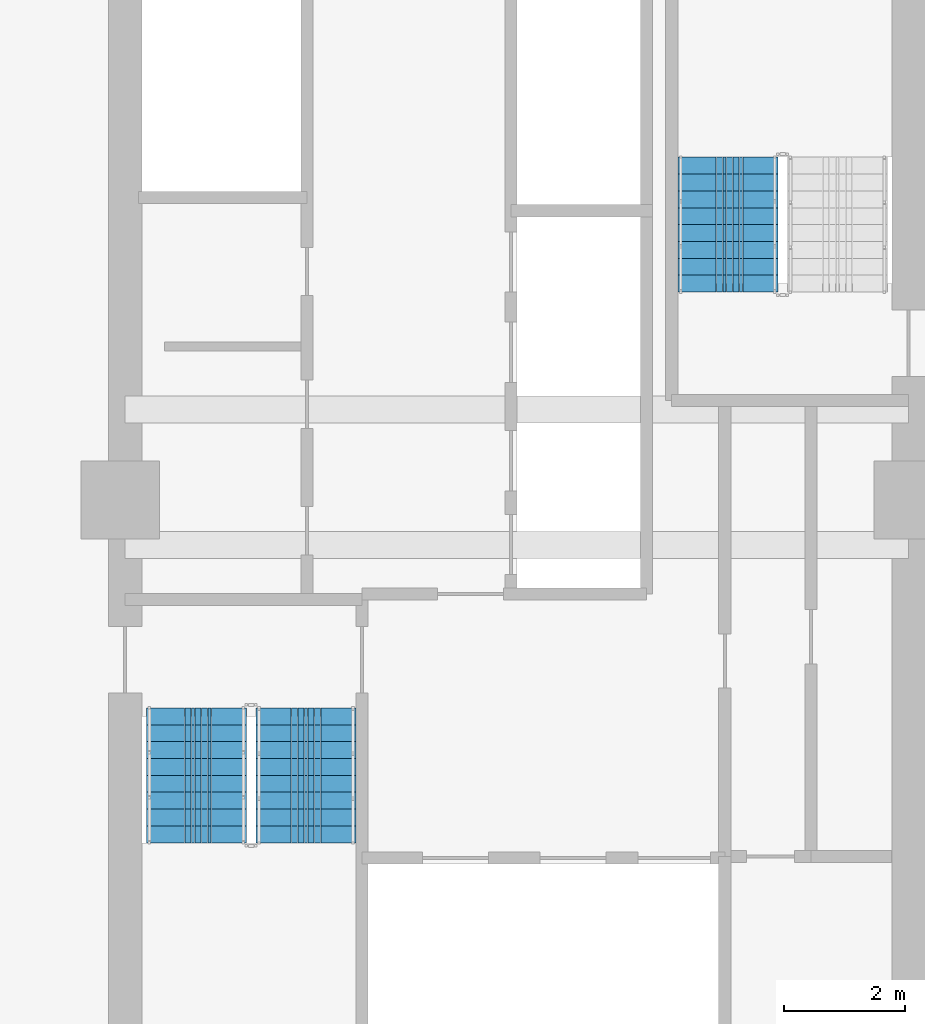
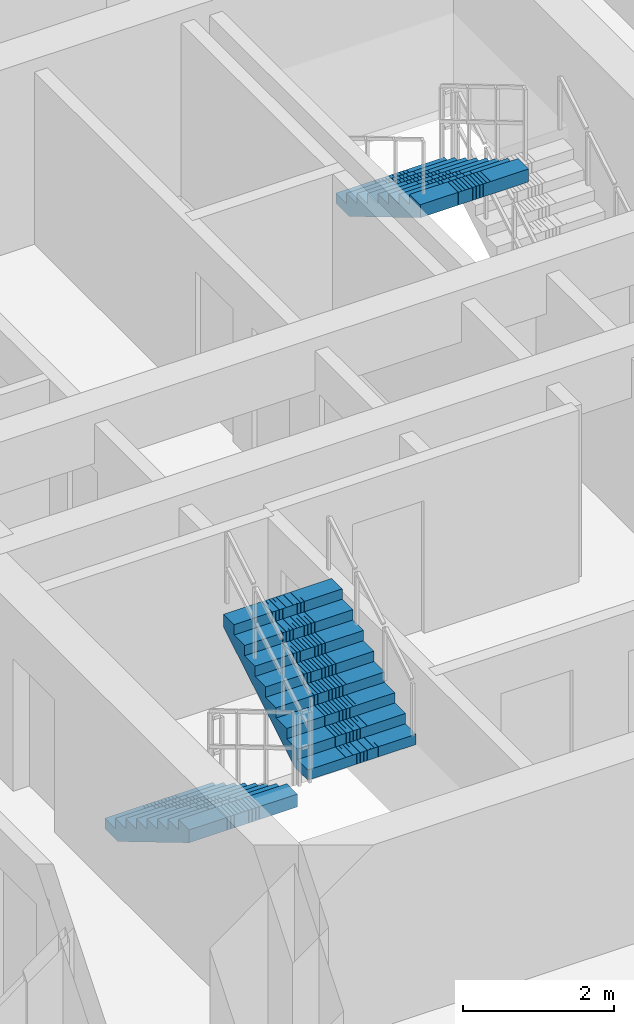
# One storey, part 8 of 13: 3 stair flights, 2 elements without a shape of their own.
"""IFC4 building model written with IfcOpenShell, lengths in metres."""

from ifc_helpers import new_model, si_unit, direction, frame, origin, place, context, subcontext, project, spatial, polyline, outline, extrude, material, type_object, element, aggregate, save


model = new_model("IFC4")

# Units and contexts
model_context = context("Model", 3, precision=1e-05, world=origin(), true_north=direction((0.0, 1.0)))
body_context = subcontext(model_context, "Body", "Model", "MODEL_VIEW")
ifc_project = project(units=[si_unit("LENGTHUNIT", "METRE"), si_unit("AREAUNIT", "SQUARE_METRE"), si_unit("VOLUMEUNIT", "CUBIC_METRE"), si_unit("PLANEANGLEUNIT", "RADIAN"), si_unit("MASSUNIT", "GRAM", prefix="KILO")], contexts=[model_context])

# Site, building, storey
site_placement = place(None, origin())
site = spatial("IfcSite", under=ifc_project, at=site_placement, CompositionType="ELEMENT")
building_placement = place(site_placement, origin())
building = spatial("IfcBuilding", under=site, at=building_placement, Name="Saelheon Loggia Tower", CompositionType="ELEMENT")
storey_placement = place(building_placement, frame((0.0, 0.0, 132.75)))
storey = spatial("IfcBuildingStorey", under=building, at=storey_placement, Name="L42", CompositionType="ELEMENT", Elevation=132.75)

# Stair, stair flights
ifc_material = material(Name="Concrete C40/50", Category="concrete")
stair_type = type_object("IfcStairType", Name="Stair_Escape_Core", PredefinedType="HALF_TURN_STAIR", material=ifc_material)
stair_1_placement = place(storey_placement, origin())
stair_1 = element("IfcStair", 1, at=stair_1_placement, inside=storey, type_object=stair_type, Name="L42 Special Escape Stair ST1", PredefinedType="HALF_TURN_STAIR")
stair_flight_type = type_object("IfcStairFlightType", Name="StairFlight_Tower_1660", PredefinedType="STRAIGHT", material=ifc_material)
stair_flight_1_placement = place(storey_placement, frame((32.679931640625, 23.550048828125, 0.0), z_axis=(0.0, 0.0, 1.0), x_axis=(0.0, -1.0, 0.0)))
stair_flight_1 = element("IfcStairFlight", 2, at=stair_flight_1_placement, type_object=stair_flight_type, Name="ST1 flight 1", NumberOfRisers=9, NumberOfTreads=8, PredefinedType="STRAIGHT", RiserHeight=0.166666667, TreadLength=0.28, context=body_context, shape_type="SweptSolid", body=[
    extrude(outline(polyline([(0.0, 0.0), (0.0, 0.166748046875), (0.280029296875, 0.166748046875), (0.280029296875, 0.333251953125), (0.56005859375, 0.333251953125), (0.56005859375, 0.5), (0.840087890625, 0.5), (0.840087890625, 0.666748046875), (1.1201171875, 0.666748046875), (1.1201171875, 0.833251953125), (1.39990234375, 0.833251953125), (1.39990234375, 1.0), (1.679931640625, 1.0), (1.679931640625, 1.166748046875), (1.9599609375, 1.166748046875), (1.9599609375, 1.333251953125), (2.239990234375, 1.333251953125), (2.239990234375, 1.5), (2.239990234375, 1.1240234375), (0.351806640625, 0.0), (0.0, 0.0)])), frame((0.0, -0.2490234375, 0.0), z_axis=(0.0, -1.0, 0.0), x_axis=(1.0, 0.0, 0.0)), (0.0, 0.0, 1.0), 0.5810546875),
    extrude(outline(polyline([(0.0, 0.0), (0.0, 0.166748046875), (0.280029296875, 0.166748046875), (0.280029296875, 0.333251953125), (0.56005859375, 0.333251953125), (0.56005859375, 0.5), (0.840087890625, 0.5), (0.840087890625, 0.666748046875), (1.1201171875, 0.666748046875), (1.1201171875, 0.833251953125), (1.39990234375, 0.833251953125), (1.39990234375, 1.0), (1.679931640625, 1.0), (1.679931640625, 1.166748046875), (1.9599609375, 1.166748046875), (1.9599609375, 1.333251953125), (2.239990234375, 1.333251953125), (2.239990234375, 1.5), (2.239990234375, 1.1240234375), (0.351806640625, 0.0), (0.0, 0.0)])), frame((0.0, -0.194091796875, 0.0), z_axis=(0.0, -1.0, 0.0), x_axis=(1.0, 0.0, 0.0)), (0.0, 0.0, 1.0), 0.0498046875),
    extrude(outline(polyline([(0.0, 0.0), (0.0, 0.166748046875), (0.280029296875, 0.166748046875), (0.280029296875, 0.333251953125), (0.56005859375, 0.333251953125), (0.56005859375, 0.5), (0.840087890625, 0.5), (0.840087890625, 0.666748046875), (1.1201171875, 0.666748046875), (1.1201171875, 0.833251953125), (1.39990234375, 0.833251953125), (1.39990234375, 1.0), (1.679931640625, 1.0), (1.679931640625, 1.166748046875), (1.9599609375, 1.166748046875), (1.9599609375, 1.333251953125), (2.239990234375, 1.333251953125), (2.239990234375, 1.5), (2.239990234375, 1.1240234375), (0.351806640625, 0.0), (0.0, 0.0)])), frame((0.0, -0.139404296875, 0.0), z_axis=(0.0, -1.0, 0.0), x_axis=(1.0, 0.0, 0.0)), (0.0, 0.0, 1.0), 0.0498046875),
    extrude(outline(polyline([(0.0, 0.0), (0.0, 0.166748046875), (0.280029296875, 0.166748046875), (0.280029296875, 0.333251953125), (0.56005859375, 0.333251953125), (0.56005859375, 0.5), (0.840087890625, 0.5), (0.840087890625, 0.666748046875), (1.1201171875, 0.666748046875), (1.1201171875, 0.833251953125), (1.39990234375, 0.833251953125), (1.39990234375, 1.0), (1.679931640625, 1.0), (1.679931640625, 1.166748046875), (1.9599609375, 1.166748046875), (1.9599609375, 1.333251953125), (2.239990234375, 1.333251953125), (2.239990234375, 1.5), (2.239990234375, 1.1240234375), (0.351806640625, 0.0), (0.0, 0.0)])), frame((0.0, -0.084716796875, 0.0), z_axis=(0.0, -1.0, 0.0), x_axis=(1.0, 0.0, 0.0)), (0.0, 0.0, 1.0), 0.0498046875),
    extrude(outline(polyline([(0.0, 0.0), (0.0, 0.166748046875), (0.280029296875, 0.166748046875), (0.280029296875, 0.333251953125), (0.56005859375, 0.333251953125), (0.56005859375, 0.5), (0.840087890625, 0.5), (0.840087890625, 0.666748046875), (1.1201171875, 0.666748046875), (1.1201171875, 0.833251953125), (1.39990234375, 0.833251953125), (1.39990234375, 1.0), (1.679931640625, 1.0), (1.679931640625, 1.166748046875), (1.9599609375, 1.166748046875), (1.9599609375, 1.333251953125), (2.239990234375, 1.333251953125), (2.239990234375, 1.5), (2.239990234375, 1.1240234375), (0.351806640625, 0.0), (0.0, 0.0)])), frame((0.0, -0.02978515625, 0.0), z_axis=(0.0, -1.0, 0.0), x_axis=(1.0, 0.0, 0.0)), (0.0, 0.0, 1.0), 0.0498046875),
    extrude(outline(polyline([(0.0, 0.0), (0.0, 0.166748046875), (0.280029296875, 0.166748046875), (0.280029296875, 0.333251953125), (0.56005859375, 0.333251953125), (0.56005859375, 0.5), (0.840087890625, 0.5), (0.840087890625, 0.666748046875), (1.1201171875, 0.666748046875), (1.1201171875, 0.833251953125), (1.39990234375, 0.833251953125), (1.39990234375, 1.0), (1.679931640625, 1.0), (1.679931640625, 1.166748046875), (1.9599609375, 1.166748046875), (1.9599609375, 1.333251953125), (2.239990234375, 1.333251953125), (2.239990234375, 1.5), (2.239990234375, 1.1240234375), (0.351806640625, 0.0), (0.0, 0.0)])), frame((0.0, 0.02490234375, 0.0), z_axis=(0.0, -1.0, 0.0), x_axis=(1.0, 0.0, 0.0)), (0.0, 0.0, 1.0), 0.0498046875),
    extrude(outline(polyline([(0.0, 0.0), (0.0, 0.166748046875), (0.280029296875, 0.166748046875), (0.280029296875, 0.333251953125), (0.56005859375, 0.333251953125), (0.56005859375, 0.5), (0.840087890625, 0.5), (0.840087890625, 0.666748046875), (1.1201171875, 0.666748046875), (1.1201171875, 0.833251953125), (1.39990234375, 0.833251953125), (1.39990234375, 1.0), (1.679931640625, 1.0), (1.679931640625, 1.166748046875), (1.9599609375, 1.166748046875), (1.9599609375, 1.333251953125), (2.239990234375, 1.333251953125), (2.239990234375, 1.5), (2.239990234375, 1.1240234375), (0.351806640625, 0.0), (0.0, 0.0)])), frame((0.0, 0.07958984375, 0.0), z_axis=(0.0, -1.0, 0.0), x_axis=(1.0, 0.0, 0.0)), (0.0, 0.0, 1.0), 0.0498046875),
    extrude(outline(polyline([(0.0, 0.0), (0.0, 0.166748046875), (0.280029296875, 0.166748046875), (0.280029296875, 0.333251953125), (0.56005859375, 0.333251953125), (0.56005859375, 0.5), (0.840087890625, 0.5), (0.840087890625, 0.666748046875), (1.1201171875, 0.666748046875), (1.1201171875, 0.833251953125), (1.39990234375, 0.833251953125), (1.39990234375, 1.0), (1.679931640625, 1.0), (1.679931640625, 1.166748046875), (1.9599609375, 1.166748046875), (1.9599609375, 1.333251953125), (2.239990234375, 1.333251953125), (2.239990234375, 1.5), (2.239990234375, 1.1240234375), (0.351806640625, 0.0), (0.0, 0.0)])), frame((0.0, 0.134521484375, 0.0), z_axis=(0.0, -1.0, 0.0), x_axis=(1.0, 0.0, 0.0)), (0.0, 0.0, 1.0), 0.0498046875),
    extrude(outline(polyline([(0.0, 0.0), (0.0, 0.166748046875), (0.280029296875, 0.166748046875), (0.280029296875, 0.333251953125), (0.56005859375, 0.333251953125), (0.56005859375, 0.5), (0.840087890625, 0.5), (0.840087890625, 0.666748046875), (1.1201171875, 0.666748046875), (1.1201171875, 0.833251953125), (1.39990234375, 0.833251953125), (1.39990234375, 1.0), (1.679931640625, 1.0), (1.679931640625, 1.166748046875), (1.9599609375, 1.166748046875), (1.9599609375, 1.333251953125), (2.239990234375, 1.333251953125), (2.239990234375, 1.5), (2.239990234375, 1.1240234375), (0.351806640625, 0.0), (0.0, 0.0)])), frame((0.0, 0.189208984375, 0.0), z_axis=(0.0, -1.0, 0.0), x_axis=(1.0, 0.0, 0.0)), (0.0, 0.0, 1.0), 0.0498046875),
    extrude(outline(polyline([(0.0, 0.0), (0.0, 0.166748046875), (0.280029296875, 0.166748046875), (0.280029296875, 0.333251953125), (0.56005859375, 0.333251953125), (0.56005859375, 0.5), (0.840087890625, 0.5), (0.840087890625, 0.666748046875), (1.1201171875, 0.666748046875), (1.1201171875, 0.833251953125), (1.39990234375, 0.833251953125), (1.39990234375, 1.0), (1.679931640625, 1.0), (1.679931640625, 1.166748046875), (1.9599609375, 1.166748046875), (1.9599609375, 1.333251953125), (2.239990234375, 1.333251953125), (2.239990234375, 1.5), (2.239990234375, 1.1240234375), (0.351806640625, 0.0), (0.0, 0.0)])), frame((0.0, 0.243896484375, 0.0), z_axis=(0.0, -1.0, 0.0), x_axis=(1.0, 0.0, 0.0)), (0.0, 0.0, 1.0), 0.0498046875),
    extrude(outline(polyline([(0.0, 0.0), (0.0, 0.166748046875), (0.280029296875, 0.166748046875), (0.280029296875, 0.333251953125), (0.56005859375, 0.333251953125), (0.56005859375, 0.5), (0.840087890625, 0.5), (0.840087890625, 0.666748046875), (1.1201171875, 0.666748046875), (1.1201171875, 0.833251953125), (1.39990234375, 0.833251953125), (1.39990234375, 1.0), (1.679931640625, 1.0), (1.679931640625, 1.166748046875), (1.9599609375, 1.166748046875), (1.9599609375, 1.333251953125), (2.239990234375, 1.333251953125), (2.239990234375, 1.5), (2.239990234375, 1.1240234375), (0.351806640625, 0.0), (0.0, 0.0)])), frame((0.0, 0.830078125, 0.0), z_axis=(0.0, -1.0, 0.0), x_axis=(1.0, 0.0, 0.0)), (0.0, 0.0, 1.0), 0.5810546875),
])
stair_flight_2_placement = place(storey_placement, frame((34.5, 21.31005859375, 1.5), z_axis=(0.0, 0.0, 1.0), x_axis=(0.0, 1.0, 0.0)))
stair_flight_2 = element("IfcStairFlight", 3, at=stair_flight_2_placement, type_object=stair_flight_type, Name="ST1 flight 2", NumberOfRisers=9, NumberOfTreads=8, PredefinedType="STRAIGHT", RiserHeight=0.166666667, TreadLength=0.28, context=body_context, shape_type="SweptSolid", body=[
    extrude(outline(polyline([(0.0, 0.0), (0.0, 0.166748046875), (0.280029296875, 0.166748046875), (0.280029296875, 0.333251953125), (0.56005859375, 0.333251953125), (0.56005859375, 0.5), (0.840087890625, 0.5), (0.840087890625, 0.666748046875), (1.1201171875, 0.666748046875), (1.1201171875, 0.833251953125), (1.39990234375, 0.833251953125), (1.39990234375, 1.0), (1.679931640625, 1.0), (1.679931640625, 1.166748046875), (1.9599609375, 1.166748046875), (1.9599609375, 1.333251953125), (2.239990234375, 1.333251953125), (2.239990234375, 1.5), (2.239990234375, 1.1240234375), (0.351806640625, 0.0), (0.0, 0.0)])), frame((0.0, -0.2490234375, 0.0), z_axis=(0.0, -1.0, 0.0), x_axis=(1.0, 0.0, 0.0)), (0.0, 0.0, 1.0), 0.5810546875),
    extrude(outline(polyline([(0.0, 0.0), (0.0, 0.166748046875), (0.280029296875, 0.166748046875), (0.280029296875, 0.333251953125), (0.56005859375, 0.333251953125), (0.56005859375, 0.5), (0.840087890625, 0.5), (0.840087890625, 0.666748046875), (1.1201171875, 0.666748046875), (1.1201171875, 0.833251953125), (1.39990234375, 0.833251953125), (1.39990234375, 1.0), (1.679931640625, 1.0), (1.679931640625, 1.166748046875), (1.9599609375, 1.166748046875), (1.9599609375, 1.333251953125), (2.239990234375, 1.333251953125), (2.239990234375, 1.5), (2.239990234375, 1.1240234375), (0.351806640625, 0.0), (0.0, 0.0)])), frame((0.0, -0.194091796875, 0.0), z_axis=(0.0, -1.0, 0.0), x_axis=(1.0, 0.0, 0.0)), (0.0, 0.0, 1.0), 0.0498046875),
    extrude(outline(polyline([(0.0, 0.0), (0.0, 0.166748046875), (0.280029296875, 0.166748046875), (0.280029296875, 0.333251953125), (0.56005859375, 0.333251953125), (0.56005859375, 0.5), (0.840087890625, 0.5), (0.840087890625, 0.666748046875), (1.1201171875, 0.666748046875), (1.1201171875, 0.833251953125), (1.39990234375, 0.833251953125), (1.39990234375, 1.0), (1.679931640625, 1.0), (1.679931640625, 1.166748046875), (1.9599609375, 1.166748046875), (1.9599609375, 1.333251953125), (2.239990234375, 1.333251953125), (2.239990234375, 1.5), (2.239990234375, 1.1240234375), (0.351806640625, 0.0), (0.0, 0.0)])), frame((0.0, -0.139404296875, 0.0), z_axis=(0.0, -1.0, 0.0), x_axis=(1.0, 0.0, 0.0)), (0.0, 0.0, 1.0), 0.0498046875),
    extrude(outline(polyline([(0.0, 0.0), (0.0, 0.166748046875), (0.280029296875, 0.166748046875), (0.280029296875, 0.333251953125), (0.56005859375, 0.333251953125), (0.56005859375, 0.5), (0.840087890625, 0.5), (0.840087890625, 0.666748046875), (1.1201171875, 0.666748046875), (1.1201171875, 0.833251953125), (1.39990234375, 0.833251953125), (1.39990234375, 1.0), (1.679931640625, 1.0), (1.679931640625, 1.166748046875), (1.9599609375, 1.166748046875), (1.9599609375, 1.333251953125), (2.239990234375, 1.333251953125), (2.239990234375, 1.5), (2.239990234375, 1.1240234375), (0.351806640625, 0.0), (0.0, 0.0)])), frame((0.0, -0.084716796875, 0.0), z_axis=(0.0, -1.0, 0.0), x_axis=(1.0, 0.0, 0.0)), (0.0, 0.0, 1.0), 0.0498046875),
    extrude(outline(polyline([(0.0, 0.0), (0.0, 0.166748046875), (0.280029296875, 0.166748046875), (0.280029296875, 0.333251953125), (0.56005859375, 0.333251953125), (0.56005859375, 0.5), (0.840087890625, 0.5), (0.840087890625, 0.666748046875), (1.1201171875, 0.666748046875), (1.1201171875, 0.833251953125), (1.39990234375, 0.833251953125), (1.39990234375, 1.0), (1.679931640625, 1.0), (1.679931640625, 1.166748046875), (1.9599609375, 1.166748046875), (1.9599609375, 1.333251953125), (2.239990234375, 1.333251953125), (2.239990234375, 1.5), (2.239990234375, 1.1240234375), (0.351806640625, 0.0), (0.0, 0.0)])), frame((0.0, -0.02978515625, 0.0), z_axis=(0.0, -1.0, 0.0), x_axis=(1.0, 0.0, 0.0)), (0.0, 0.0, 1.0), 0.0498046875),
    extrude(outline(polyline([(0.0, 0.0), (0.0, 0.166748046875), (0.280029296875, 0.166748046875), (0.280029296875, 0.333251953125), (0.56005859375, 0.333251953125), (0.56005859375, 0.5), (0.840087890625, 0.5), (0.840087890625, 0.666748046875), (1.1201171875, 0.666748046875), (1.1201171875, 0.833251953125), (1.39990234375, 0.833251953125), (1.39990234375, 1.0), (1.679931640625, 1.0), (1.679931640625, 1.166748046875), (1.9599609375, 1.166748046875), (1.9599609375, 1.333251953125), (2.239990234375, 1.333251953125), (2.239990234375, 1.5), (2.239990234375, 1.1240234375), (0.351806640625, 0.0), (0.0, 0.0)])), frame((0.0, 0.02490234375, 0.0), z_axis=(0.0, -1.0, 0.0), x_axis=(1.0, 0.0, 0.0)), (0.0, 0.0, 1.0), 0.0498046875),
    extrude(outline(polyline([(0.0, 0.0), (0.0, 0.166748046875), (0.280029296875, 0.166748046875), (0.280029296875, 0.333251953125), (0.56005859375, 0.333251953125), (0.56005859375, 0.5), (0.840087890625, 0.5), (0.840087890625, 0.666748046875), (1.1201171875, 0.666748046875), (1.1201171875, 0.833251953125), (1.39990234375, 0.833251953125), (1.39990234375, 1.0), (1.679931640625, 1.0), (1.679931640625, 1.166748046875), (1.9599609375, 1.166748046875), (1.9599609375, 1.333251953125), (2.239990234375, 1.333251953125), (2.239990234375, 1.5), (2.239990234375, 1.1240234375), (0.351806640625, 0.0), (0.0, 0.0)])), frame((0.0, 0.07958984375, 0.0), z_axis=(0.0, -1.0, 0.0), x_axis=(1.0, 0.0, 0.0)), (0.0, 0.0, 1.0), 0.0498046875),
    extrude(outline(polyline([(0.0, 0.0), (0.0, 0.166748046875), (0.280029296875, 0.166748046875), (0.280029296875, 0.333251953125), (0.56005859375, 0.333251953125), (0.56005859375, 0.5), (0.840087890625, 0.5), (0.840087890625, 0.666748046875), (1.1201171875, 0.666748046875), (1.1201171875, 0.833251953125), (1.39990234375, 0.833251953125), (1.39990234375, 1.0), (1.679931640625, 1.0), (1.679931640625, 1.166748046875), (1.9599609375, 1.166748046875), (1.9599609375, 1.333251953125), (2.239990234375, 1.333251953125), (2.239990234375, 1.5), (2.239990234375, 1.1240234375), (0.351806640625, 0.0), (0.0, 0.0)])), frame((0.0, 0.134521484375, 0.0), z_axis=(0.0, -1.0, 0.0), x_axis=(1.0, 0.0, 0.0)), (0.0, 0.0, 1.0), 0.0498046875),
    extrude(outline(polyline([(0.0, 0.0), (0.0, 0.166748046875), (0.280029296875, 0.166748046875), (0.280029296875, 0.333251953125), (0.56005859375, 0.333251953125), (0.56005859375, 0.5), (0.840087890625, 0.5), (0.840087890625, 0.666748046875), (1.1201171875, 0.666748046875), (1.1201171875, 0.833251953125), (1.39990234375, 0.833251953125), (1.39990234375, 1.0), (1.679931640625, 1.0), (1.679931640625, 1.166748046875), (1.9599609375, 1.166748046875), (1.9599609375, 1.333251953125), (2.239990234375, 1.333251953125), (2.239990234375, 1.5), (2.239990234375, 1.1240234375), (0.351806640625, 0.0), (0.0, 0.0)])), frame((0.0, 0.189208984375, 0.0), z_axis=(0.0, -1.0, 0.0), x_axis=(1.0, 0.0, 0.0)), (0.0, 0.0, 1.0), 0.0498046875),
    extrude(outline(polyline([(0.0, 0.0), (0.0, 0.166748046875), (0.280029296875, 0.166748046875), (0.280029296875, 0.333251953125), (0.56005859375, 0.333251953125), (0.56005859375, 0.5), (0.840087890625, 0.5), (0.840087890625, 0.666748046875), (1.1201171875, 0.666748046875), (1.1201171875, 0.833251953125), (1.39990234375, 0.833251953125), (1.39990234375, 1.0), (1.679931640625, 1.0), (1.679931640625, 1.166748046875), (1.9599609375, 1.166748046875), (1.9599609375, 1.333251953125), (2.239990234375, 1.333251953125), (2.239990234375, 1.5), (2.239990234375, 1.1240234375), (0.351806640625, 0.0), (0.0, 0.0)])), frame((0.0, 0.243896484375, 0.0), z_axis=(0.0, -1.0, 0.0), x_axis=(1.0, 0.0, 0.0)), (0.0, 0.0, 1.0), 0.0498046875),
    extrude(outline(polyline([(0.0, 0.0), (0.0, 0.166748046875), (0.280029296875, 0.166748046875), (0.280029296875, 0.333251953125), (0.56005859375, 0.333251953125), (0.56005859375, 0.5), (0.840087890625, 0.5), (0.840087890625, 0.666748046875), (1.1201171875, 0.666748046875), (1.1201171875, 0.833251953125), (1.39990234375, 0.833251953125), (1.39990234375, 1.0), (1.679931640625, 1.0), (1.679931640625, 1.166748046875), (1.9599609375, 1.166748046875), (1.9599609375, 1.333251953125), (2.239990234375, 1.333251953125), (2.239990234375, 1.5), (2.239990234375, 1.1240234375), (0.351806640625, 0.0), (0.0, 0.0)])), frame((0.0, 0.830078125, 0.0), z_axis=(0.0, -1.0, 0.0), x_axis=(1.0, 0.0, 0.0)), (0.0, 0.0, 1.0), 0.5810546875),
])
aggregate(stair_1, [stair_flight_1, stair_flight_2])

# Stair, stair flight
stair_2_placement = place(storey_placement, origin())
stair_2 = element("IfcStair", 4, at=stair_2_placement, inside=storey, type_object=stair_type, Name="L42 Special Escape Stair ST2", PredefinedType="HALF_TURN_STAIR")
stair_flight_3_placement = place(storey_placement, frame((41.5, 32.68994140625, 1.5), z_axis=(0.0, 0.0, 1.0), x_axis=(0.0, -1.0, 0.0)))
stair_flight_3 = element("IfcStairFlight", 5, at=stair_flight_3_placement, type_object=stair_flight_type, Name="ST2 flight 2", NumberOfRisers=9, NumberOfTreads=8, PredefinedType="STRAIGHT", RiserHeight=0.166666667, TreadLength=0.28, context=body_context, shape_type="SweptSolid", body=[
    extrude(outline(polyline([(0.0, 0.0), (0.0, 0.166748046875), (0.280029296875, 0.166748046875), (0.280029296875, 0.333251953125), (0.56005859375, 0.333251953125), (0.56005859375, 0.5), (0.840087890625, 0.5), (0.840087890625, 0.666748046875), (1.1201171875, 0.666748046875), (1.1201171875, 0.833251953125), (1.39990234375, 0.833251953125), (1.39990234375, 1.0), (1.679931640625, 1.0), (1.679931640625, 1.166748046875), (1.9599609375, 1.166748046875), (1.9599609375, 1.333251953125), (2.239990234375, 1.333251953125), (2.239990234375, 1.5), (2.239990234375, 1.1240234375), (0.351806640625, 0.0), (0.0, 0.0)])), frame((0.0, -0.2490234375, 0.0), z_axis=(0.0, -1.0, 0.0), x_axis=(1.0, 0.0, 0.0)), (0.0, 0.0, 1.0), 0.5810546875),
    extrude(outline(polyline([(0.0, 0.0), (0.0, 0.166748046875), (0.280029296875, 0.166748046875), (0.280029296875, 0.333251953125), (0.56005859375, 0.333251953125), (0.56005859375, 0.5), (0.840087890625, 0.5), (0.840087890625, 0.666748046875), (1.1201171875, 0.666748046875), (1.1201171875, 0.833251953125), (1.39990234375, 0.833251953125), (1.39990234375, 1.0), (1.679931640625, 1.0), (1.679931640625, 1.166748046875), (1.9599609375, 1.166748046875), (1.9599609375, 1.333251953125), (2.239990234375, 1.333251953125), (2.239990234375, 1.5), (2.239990234375, 1.1240234375), (0.351806640625, 0.0), (0.0, 0.0)])), frame((0.0, -0.194091796875, 0.0), z_axis=(0.0, -1.0, 0.0), x_axis=(1.0, 0.0, 0.0)), (0.0, 0.0, 1.0), 0.0498046875),
    extrude(outline(polyline([(0.0, 0.0), (0.0, 0.166748046875), (0.280029296875, 0.166748046875), (0.280029296875, 0.333251953125), (0.56005859375, 0.333251953125), (0.56005859375, 0.5), (0.840087890625, 0.5), (0.840087890625, 0.666748046875), (1.1201171875, 0.666748046875), (1.1201171875, 0.833251953125), (1.39990234375, 0.833251953125), (1.39990234375, 1.0), (1.679931640625, 1.0), (1.679931640625, 1.166748046875), (1.9599609375, 1.166748046875), (1.9599609375, 1.333251953125), (2.239990234375, 1.333251953125), (2.239990234375, 1.5), (2.239990234375, 1.1240234375), (0.351806640625, 0.0), (0.0, 0.0)])), frame((0.0, -0.139404296875, 0.0), z_axis=(0.0, -1.0, 0.0), x_axis=(1.0, 0.0, 0.0)), (0.0, 0.0, 1.0), 0.0498046875),
    extrude(outline(polyline([(0.0, 0.0), (0.0, 0.166748046875), (0.280029296875, 0.166748046875), (0.280029296875, 0.333251953125), (0.56005859375, 0.333251953125), (0.56005859375, 0.5), (0.840087890625, 0.5), (0.840087890625, 0.666748046875), (1.1201171875, 0.666748046875), (1.1201171875, 0.833251953125), (1.39990234375, 0.833251953125), (1.39990234375, 1.0), (1.679931640625, 1.0), (1.679931640625, 1.166748046875), (1.9599609375, 1.166748046875), (1.9599609375, 1.333251953125), (2.239990234375, 1.333251953125), (2.239990234375, 1.5), (2.239990234375, 1.1240234375), (0.351806640625, 0.0), (0.0, 0.0)])), frame((0.0, -0.084716796875, 0.0), z_axis=(0.0, -1.0, 0.0), x_axis=(1.0, 0.0, 0.0)), (0.0, 0.0, 1.0), 0.0498046875),
    extrude(outline(polyline([(0.0, 0.0), (0.0, 0.166748046875), (0.280029296875, 0.166748046875), (0.280029296875, 0.333251953125), (0.56005859375, 0.333251953125), (0.56005859375, 0.5), (0.840087890625, 0.5), (0.840087890625, 0.666748046875), (1.1201171875, 0.666748046875), (1.1201171875, 0.833251953125), (1.39990234375, 0.833251953125), (1.39990234375, 1.0), (1.679931640625, 1.0), (1.679931640625, 1.166748046875), (1.9599609375, 1.166748046875), (1.9599609375, 1.333251953125), (2.239990234375, 1.333251953125), (2.239990234375, 1.5), (2.239990234375, 1.1240234375), (0.351806640625, 0.0), (0.0, 0.0)])), frame((0.0, -0.02978515625, 0.0), z_axis=(0.0, -1.0, 0.0), x_axis=(1.0, 0.0, 0.0)), (0.0, 0.0, 1.0), 0.0498046875),
    extrude(outline(polyline([(0.0, 0.0), (0.0, 0.166748046875), (0.280029296875, 0.166748046875), (0.280029296875, 0.333251953125), (0.56005859375, 0.333251953125), (0.56005859375, 0.5), (0.840087890625, 0.5), (0.840087890625, 0.666748046875), (1.1201171875, 0.666748046875), (1.1201171875, 0.833251953125), (1.39990234375, 0.833251953125), (1.39990234375, 1.0), (1.679931640625, 1.0), (1.679931640625, 1.166748046875), (1.9599609375, 1.166748046875), (1.9599609375, 1.333251953125), (2.239990234375, 1.333251953125), (2.239990234375, 1.5), (2.239990234375, 1.1240234375), (0.351806640625, 0.0), (0.0, 0.0)])), frame((0.0, 0.02490234375, 0.0), z_axis=(0.0, -1.0, 0.0), x_axis=(1.0, 0.0, 0.0)), (0.0, 0.0, 1.0), 0.0498046875),
    extrude(outline(polyline([(0.0, 0.0), (0.0, 0.166748046875), (0.280029296875, 0.166748046875), (0.280029296875, 0.333251953125), (0.56005859375, 0.333251953125), (0.56005859375, 0.5), (0.840087890625, 0.5), (0.840087890625, 0.666748046875), (1.1201171875, 0.666748046875), (1.1201171875, 0.833251953125), (1.39990234375, 0.833251953125), (1.39990234375, 1.0), (1.679931640625, 1.0), (1.679931640625, 1.166748046875), (1.9599609375, 1.166748046875), (1.9599609375, 1.333251953125), (2.239990234375, 1.333251953125), (2.239990234375, 1.5), (2.239990234375, 1.1240234375), (0.351806640625, 0.0), (0.0, 0.0)])), frame((0.0, 0.07958984375, 0.0), z_axis=(0.0, -1.0, 0.0), x_axis=(1.0, 0.0, 0.0)), (0.0, 0.0, 1.0), 0.0498046875),
    extrude(outline(polyline([(0.0, 0.0), (0.0, 0.166748046875), (0.280029296875, 0.166748046875), (0.280029296875, 0.333251953125), (0.56005859375, 0.333251953125), (0.56005859375, 0.5), (0.840087890625, 0.5), (0.840087890625, 0.666748046875), (1.1201171875, 0.666748046875), (1.1201171875, 0.833251953125), (1.39990234375, 0.833251953125), (1.39990234375, 1.0), (1.679931640625, 1.0), (1.679931640625, 1.166748046875), (1.9599609375, 1.166748046875), (1.9599609375, 1.333251953125), (2.239990234375, 1.333251953125), (2.239990234375, 1.5), (2.239990234375, 1.1240234375), (0.351806640625, 0.0), (0.0, 0.0)])), frame((0.0, 0.134521484375, 0.0), z_axis=(0.0, -1.0, 0.0), x_axis=(1.0, 0.0, 0.0)), (0.0, 0.0, 1.0), 0.0498046875),
    extrude(outline(polyline([(0.0, 0.0), (0.0, 0.166748046875), (0.280029296875, 0.166748046875), (0.280029296875, 0.333251953125), (0.56005859375, 0.333251953125), (0.56005859375, 0.5), (0.840087890625, 0.5), (0.840087890625, 0.666748046875), (1.1201171875, 0.666748046875), (1.1201171875, 0.833251953125), (1.39990234375, 0.833251953125), (1.39990234375, 1.0), (1.679931640625, 1.0), (1.679931640625, 1.166748046875), (1.9599609375, 1.166748046875), (1.9599609375, 1.333251953125), (2.239990234375, 1.333251953125), (2.239990234375, 1.5), (2.239990234375, 1.1240234375), (0.351806640625, 0.0), (0.0, 0.0)])), frame((0.0, 0.189208984375, 0.0), z_axis=(0.0, -1.0, 0.0), x_axis=(1.0, 0.0, 0.0)), (0.0, 0.0, 1.0), 0.0498046875),
    extrude(outline(polyline([(0.0, 0.0), (0.0, 0.166748046875), (0.280029296875, 0.166748046875), (0.280029296875, 0.333251953125), (0.56005859375, 0.333251953125), (0.56005859375, 0.5), (0.840087890625, 0.5), (0.840087890625, 0.666748046875), (1.1201171875, 0.666748046875), (1.1201171875, 0.833251953125), (1.39990234375, 0.833251953125), (1.39990234375, 1.0), (1.679931640625, 1.0), (1.679931640625, 1.166748046875), (1.9599609375, 1.166748046875), (1.9599609375, 1.333251953125), (2.239990234375, 1.333251953125), (2.239990234375, 1.5), (2.239990234375, 1.1240234375), (0.351806640625, 0.0), (0.0, 0.0)])), frame((0.0, 0.243896484375, 0.0), z_axis=(0.0, -1.0, 0.0), x_axis=(1.0, 0.0, 0.0)), (0.0, 0.0, 1.0), 0.0498046875),
    extrude(outline(polyline([(0.0, 0.0), (0.0, 0.166748046875), (0.280029296875, 0.166748046875), (0.280029296875, 0.333251953125), (0.56005859375, 0.333251953125), (0.56005859375, 0.5), (0.840087890625, 0.5), (0.840087890625, 0.666748046875), (1.1201171875, 0.666748046875), (1.1201171875, 0.833251953125), (1.39990234375, 0.833251953125), (1.39990234375, 1.0), (1.679931640625, 1.0), (1.679931640625, 1.166748046875), (1.9599609375, 1.166748046875), (1.9599609375, 1.333251953125), (2.239990234375, 1.333251953125), (2.239990234375, 1.5), (2.239990234375, 1.1240234375), (0.351806640625, 0.0), (0.0, 0.0)])), frame((0.0, 0.830078125, 0.0), z_axis=(0.0, -1.0, 0.0), x_axis=(1.0, 0.0, 0.0)), (0.0, 0.0, 1.0), 0.5810546875),
])
aggregate(stair_2, [stair_flight_3])

save(model, "model.ifc")
